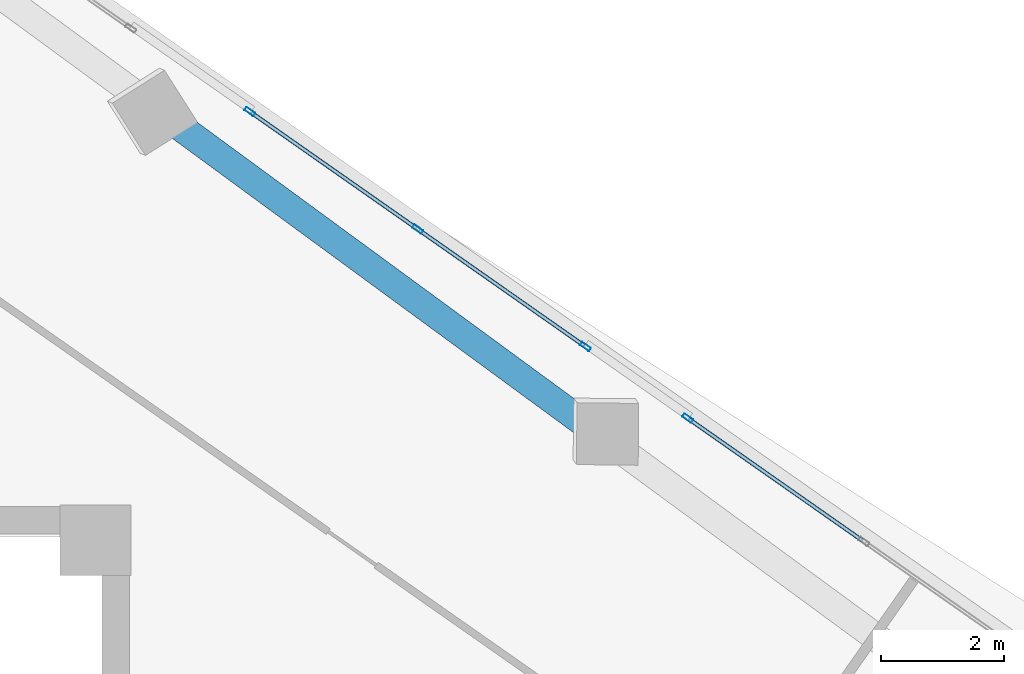
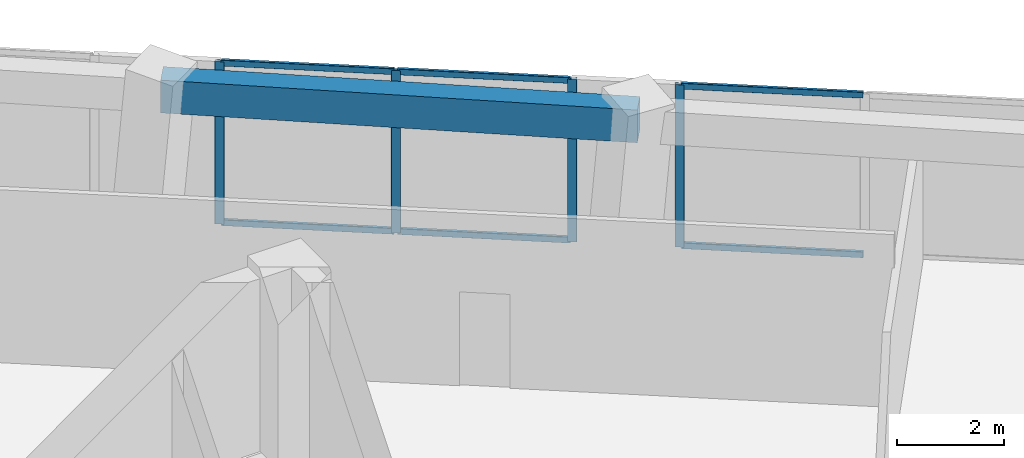
# One storey, part 16 of 22: 10 members, 1 beam, 2 elements without a shape of their own.
"""IFC4 building model written with IfcOpenShell, lengths in metres."""

from ifc_helpers import new_model, si_unit, direction, frame, origin, origin_2d, place, context, subcontext, project, spatial, rectangle, hollow_rectangle, extrude, source, transform, mapped, material, material_profile, profile_set, type_object, element, aggregate, save


model = new_model("IFC4")

# Units and contexts
model_context = context("Model", 3, precision=1e-05, world=origin(), true_north=direction((0.0, 1.0)))
body_context = subcontext(model_context, "Body", "Model", "MODEL_VIEW")
ifc_project = project(units=[si_unit("LENGTHUNIT", "METRE"), si_unit("AREAUNIT", "SQUARE_METRE"), si_unit("VOLUMEUNIT", "CUBIC_METRE"), si_unit("PLANEANGLEUNIT", "RADIAN"), si_unit("MASSUNIT", "GRAM", prefix="KILO")], contexts=[model_context])

# Site, building, storey
site_placement = place(None, origin())
site = spatial("IfcSite", under=ifc_project, at=site_placement, CompositionType="ELEMENT")
building_placement = place(site_placement, origin())
building = spatial("IfcBuilding", under=site, at=building_placement, Name="Torre Montelarca", CompositionType="ELEMENT")
storey_placement = place(building_placement, frame((0.0, 0.0, 196.0)))
storey = spatial("IfcBuildingStorey", under=building, at=storey_placement, Name="L44", CompositionType="ELEMENT", Elevation=196.0)

# Beam
ifc_material_1 = material(Name="Concrete C55/67", Category="concrete")
ifc_material_profile_1 = material_profile(ifc_material_1, rectangle(XDim=0.449951171875, YDim=0.75, at=origin_2d()), Name="RCB450X750", Category="concrete")
ifc_profile_set_1 = profile_set([ifc_material_profile_1], Name="Concrete C55/67")
beam_type = type_object("IfcBeamType", Name="BM-SP-RC750-EXT", PredefinedType="SPANDREL", material=ifc_profile_set_1)
shared_shape_1 = source(origin(), body_context, "Body", "SweptSolid", [
    extrude(rectangle(XDim=0.449951171875, YDim=0.75, at=origin_2d()), origin(), (0.0, 0.0, 1.0), 9.0),
])
beam_placement = place(storey_placement, frame((27.6357421875, 46.287109375, 3.5849609375), z_axis=(0.806447251738, -0.591306037653, 0.0), x_axis=(0.591306037653, 0.806447251738, 0.0)))
element("IfcBeam", 1, at=beam_placement, inside=storey, type_object=beam_type, Name="L44 Grid Girder X 18.0-27.0 at Y=47.1", PredefinedType="SPANDREL", context=body_context, shape_type="MappedRepresentation", body=[
    mapped(shared_shape_1, transform((0.0, 0.0, 0.0), scale=1.0)),
])

# Curtain wall, member
ifc_material_2 = material(Name="Insulated low-E laminated glass", Category="glass")
curtain_wall_type = type_object("IfcCurtainWallType", Name="CW-SYS-Z2", PredefinedType="USERDEFINED", material=ifc_material_2)
curtain_wall_1_placement = place(storey_placement, origin())
curtain_wall_1 = element("IfcCurtainWall", 2, at=curtain_wall_1_placement, inside=storey, type_object=curtain_wall_type, Name="L44 Curtain Wall Run CW-T3-L44-E08-B2", ObjectType="UNITISED GLAZING", PredefinedType="USERDEFINED")
ifc_material_3 = material(Name="Anodised aluminium AA 6063-T6", Category="aluminium")
ifc_material_profile_2 = material_profile(ifc_material_3, hollow_rectangle(XDim=0.06494140625, YDim=0.179931640625, WallThickness=0.00390625, InnerFilletRadius=0.00390625, OuterFilletRadius=0.008056640625, at=origin_2d()), Name="ALU65X180X4", Category="aluminium")
ifc_profile_set_2 = profile_set([ifc_material_profile_2], Name="Anodised aluminium AA 6063-T6")
member_type_1 = type_object("IfcMemberType", Name="CWM-ALU180", PredefinedType="MULLION", material=ifc_profile_set_2)
shared_shape_2 = source(origin(), body_context, "Body", "SweptSolid", [
    extrude(hollow_rectangle(XDim=0.06494140625, YDim=0.179931640625, WallThickness=0.00390625, InnerFilletRadius=0.00390625, OuterFilletRadius=0.008056640625, at=origin_2d()), origin(), (0.0, 0.0, 1.0), 3.719970703125),
])
member_1_placement = place(storey_placement, frame((36.052001953125, 41.428466796875, 0.0), z_axis=(0.0, 0.0, 1.0), x_axis=(-0.57358055092, -0.819149163221, 0.0)))
member_1 = element("IfcMember", 3, at=member_1_placement, type_object=member_type_1, Name="CW mullion 3", PredefinedType="MULLION", context=body_context, shape_type="MappedRepresentation", body=[
    mapped(shared_shape_2, transform((0.0, 0.0, 0.0), scale=1.0)),
])

# Curtain wall, members
curtain_wall_2_placement = place(storey_placement, origin())
curtain_wall_2 = element("IfcCurtainWall", 4, at=curtain_wall_2_placement, inside=storey, type_object=curtain_wall_type, Name="L44 Curtain Wall Run CW-T3-L44-E08-B3", ObjectType="UNITISED GLAZING", PredefinedType="USERDEFINED")
member_2_placement = place(storey_placement, frame((34.393310546875, 42.58984375, 0.0), z_axis=(0.0, 0.0, 1.0), x_axis=(-0.573574385359, -0.819153480405, 0.0)))
member_2 = element("IfcMember", 5, at=member_2_placement, type_object=member_type_1, Name="CW mullion 1", PredefinedType="MULLION", context=body_context, shape_type="MappedRepresentation", body=[
    mapped(shared_shape_2, transform((0.0, 0.0, 0.0), scale=1.0)),
])
member_3_placement = place(storey_placement, frame((31.672119140625, 44.4951171875, 0.0), z_axis=(0.0, 0.0, 1.0), x_axis=(-0.573574385359, -0.819153480405, 0.0)))
member_3 = element("IfcMember", 6, at=member_3_placement, type_object=member_type_1, Name="CW mullion 2", PredefinedType="MULLION", context=body_context, shape_type="MappedRepresentation", body=[
    mapped(shared_shape_2, transform((0.0, 0.0, 0.0), scale=1.0)),
])
member_4_placement = place(storey_placement, frame((28.951171875, 46.400390625, 0.0), z_axis=(0.0, 0.0, 1.0), x_axis=(-0.573574385359, -0.819153480405, 0.0)))
member_4 = element("IfcMember", 7, at=member_4_placement, type_object=member_type_1, Name="CW mullion 3", PredefinedType="MULLION", context=body_context, shape_type="MappedRepresentation", body=[
    mapped(shared_shape_2, transform((0.0, 0.0, 0.0), scale=1.0)),
])

# Member
ifc_material_profile_3 = material_profile(ifc_material_3, hollow_rectangle(XDim=0.06494140625, YDim=0.139892578125, WallThickness=0.00390625, InnerFilletRadius=0.00390625, OuterFilletRadius=0.008056640625, at=origin_2d()), Name="ALU65X140X4", Category="aluminium")
ifc_profile_set_3 = profile_set([ifc_material_profile_3], Name="Anodised aluminium AA 6063-T6")
member_type_2 = type_object("IfcMemberType", Name="CWT-ALU140", PredefinedType="USERDEFINED", material=ifc_profile_set_3)
shared_shape_3 = source(origin(), body_context, "Body", "SweptSolid", [
    extrude(hollow_rectangle(XDim=0.06494140625, YDim=0.139892578125, WallThickness=0.00390625, InnerFilletRadius=0.00390625, OuterFilletRadius=0.008056640625, at=origin_2d()), origin(), (0.0, 0.0, 1.0), 3.42236328125),
])
member_5_placement = place(storey_placement, frame((38.88232421875, 39.446533203125, 0.032470703125), z_axis=(-0.819134721404, 0.573601175199, 0.0), x_axis=(-0.573601175199, -0.819134721404, 0.0)))
member_5 = element("IfcMember", 8, at=member_5_placement, type_object=member_type_2, Name="CW transom 2.1", ObjectType="TRANSOM", PredefinedType="USERDEFINED", context=body_context, shape_type="MappedRepresentation", body=[
    mapped(shared_shape_3, transform((0.0, 0.0, 0.0), scale=1.0)),
])

member_6_placement = place(storey_placement, frame((38.88232421875, 39.446533203125, 3.6875), z_axis=(-0.819134721404, 0.573601175199, 0.0), x_axis=(-0.573601175199, -0.819134721404, 0.0)))
member_6 = element("IfcMember", 9, at=member_6_placement, type_object=member_type_2, Name="CW transom 2.2", ObjectType="TRANSOM", PredefinedType="USERDEFINED", context=body_context, shape_type="MappedRepresentation", body=[
    mapped(shared_shape_3, transform((0.0, 0.0, 0.0), scale=1.0)),
])

aggregate(curtain_wall_1, [member_1, member_5, member_6])

shared_shape_4 = source(origin(), body_context, "Body", "SweptSolid", [
    extrude(hollow_rectangle(XDim=0.06494140625, YDim=0.139892578125, WallThickness=0.00390625, InnerFilletRadius=0.00390625, OuterFilletRadius=0.008056640625, at=origin_2d()), origin(), (0.0, 0.0, 1.0), 3.2568359375),
])
member_7_placement = place(storey_placement, frame((31.6455078125, 44.513671875, 0.032470703125), z_axis=(-0.8191227311, 0.573618297646, 0.0), x_axis=(-0.573618297646, -0.8191227311, 0.0)))
member_7 = element("IfcMember", 10, at=member_7_placement, type_object=member_type_2, Name="CW transom 2.1", ObjectType="TRANSOM", PredefinedType="USERDEFINED", context=body_context, shape_type="MappedRepresentation", body=[
    mapped(shared_shape_4, transform((0.0, 0.0, 0.0), scale=1.0)),
])

member_8_placement = place(storey_placement, frame((31.6455078125, 44.513671875, 3.6875), z_axis=(-0.8191227311, 0.573618297646, 0.0), x_axis=(-0.573618297646, -0.8191227311, 0.0)))
member_8 = element("IfcMember", 11, at=member_8_placement, type_object=member_type_2, Name="CW transom 2.2", ObjectType="TRANSOM", PredefinedType="USERDEFINED", context=body_context, shape_type="MappedRepresentation", body=[
    mapped(shared_shape_4, transform((0.0, 0.0, 0.0), scale=1.0)),
])

shared_shape_5 = source(origin(), body_context, "Body", "SweptSolid", [
    extrude(hollow_rectangle(XDim=0.06494140625, YDim=0.139892578125, WallThickness=0.00390625, InnerFilletRadius=0.00390625, OuterFilletRadius=0.008056640625, at=origin_2d()), origin(), (0.0, 0.0, 1.0), 3.257080078125),
])
member_9_placement = place(storey_placement, frame((34.36669921875, 42.6083984375, 0.032470703125), z_axis=(-0.819147394562, 0.573583076792, 0.0), x_axis=(-0.573583076792, -0.819147394562, 0.0)))
member_9 = element("IfcMember", 12, at=member_9_placement, type_object=member_type_2, Name="CW transom 1.1", ObjectType="TRANSOM", PredefinedType="USERDEFINED", context=body_context, shape_type="MappedRepresentation", body=[
    mapped(shared_shape_5, transform((0.0, 0.0, 0.0), scale=1.0)),
])

member_10_placement = place(storey_placement, frame((34.36669921875, 42.6083984375, 3.6875), z_axis=(-0.819147394562, 0.573583076792, 0.0), x_axis=(-0.573583076792, -0.819147394562, 0.0)))
member_10 = element("IfcMember", 13, at=member_10_placement, type_object=member_type_2, Name="CW transom 1.2", ObjectType="TRANSOM", PredefinedType="USERDEFINED", context=body_context, shape_type="MappedRepresentation", body=[
    mapped(shared_shape_5, transform((0.0, 0.0, 0.0), scale=1.0)),
])

aggregate(curtain_wall_2, [member_2, member_3, member_4, member_9, member_10, member_7, member_8])

save(model, "model.ifc")
